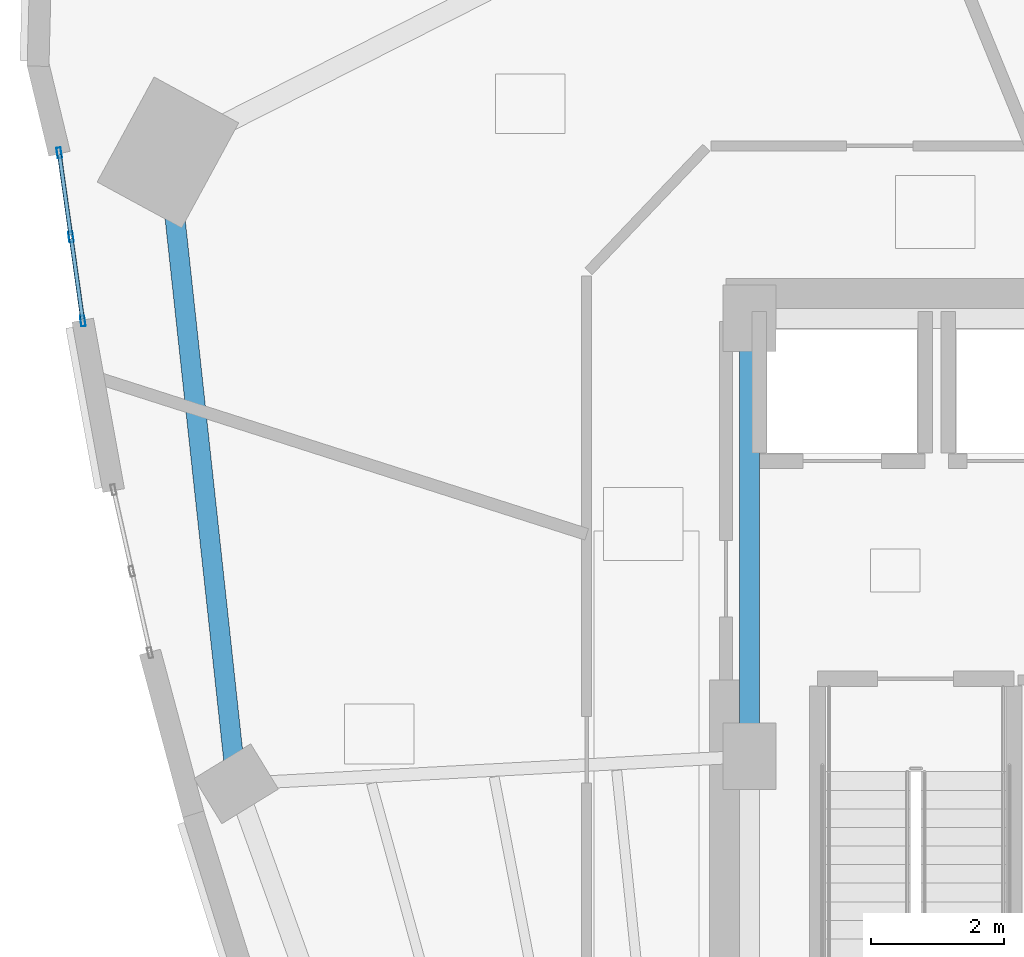
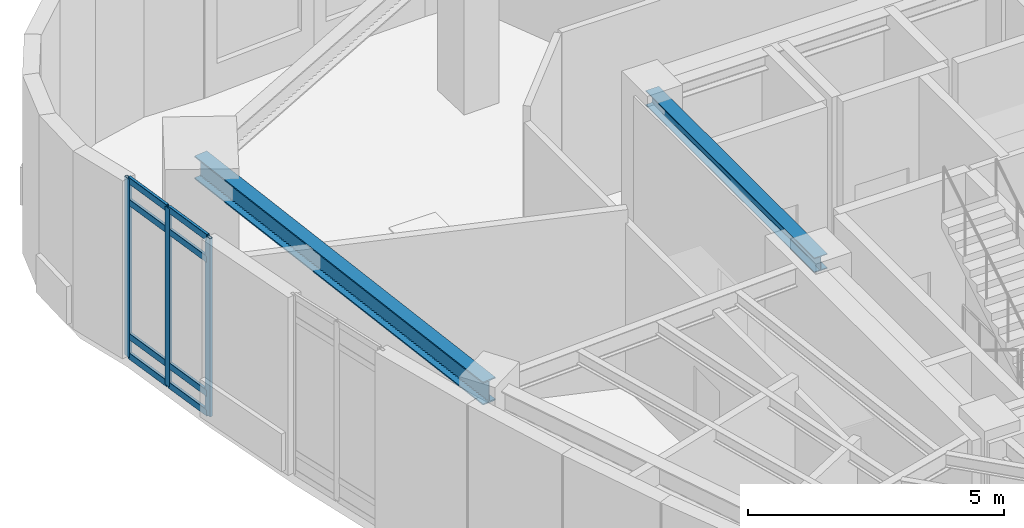
# One storey, part 4 of 14: 11 members, 2 beams, 1 element without a shape of its own.
"""IFC4 building model written with IfcOpenShell, lengths in metres."""

from ifc_helpers import new_model, si_unit, direction, frame, origin, origin_2d, place, context, subcontext, project, spatial, hollow_rectangle, i_section, extrude, material, layer, layer_set, material_profile, profile_set, type_object, element, aggregate, save


model = new_model("IFC4")

# Units and contexts
model_context = context("Model", 3, precision=1e-05, world=origin(), true_north=direction((0.0, 1.0)))
body_context = subcontext(model_context, "Body", "Model", "MODEL_VIEW")
ifc_project = project(units=[si_unit("LENGTHUNIT", "METRE"), si_unit("AREAUNIT", "SQUARE_METRE"), si_unit("VOLUMEUNIT", "CUBIC_METRE"), si_unit("PLANEANGLEUNIT", "RADIAN"), si_unit("MASSUNIT", "GRAM", prefix="KILO")], contexts=[model_context])

# Site, building, storey
site_placement = place(None, origin())
site = spatial("IfcSite", under=ifc_project, at=site_placement, CompositionType="ELEMENT")
building_placement = place(site_placement, origin())
building = spatial("IfcBuilding", under=site, at=building_placement, Name="Ndelora Gate Hotel", CompositionType="ELEMENT")
storey_placement = place(building_placement, frame((0.0, 0.0, 178.25)))
storey = spatial("IfcBuildingStorey", under=building, at=storey_placement, Name="L44", CompositionType="ELEMENT", Elevation=178.25)

# Beams
ifc_material_1 = material(Name="Steel S355", Category="steel")
ifc_material_profile_1 = material_profile(ifc_material_1, i_section(OverallWidth=0.300048828125, OverallDepth=0.35009765625, WebThickness=0.010009765625, FlangeThickness=0.017578125, FilletRadius=0.027099609375, at=origin_2d()), Name="HEA 360")
ifc_profile_set_1 = profile_set([ifc_material_profile_1], Name="Steel S355")
beam_type_1 = type_object("IfcBeamType", Name="BM-CORE-350", PredefinedType="BEAM", material=ifc_profile_set_1)
beam_1_placement = place(storey_placement, frame((-8.0, 0.0, 4.074951171875), z_axis=(0.0, 1.0, 0.0), x_axis=(-1.0, 0.0, 0.0)))
element("IfcBeam", 1, at=beam_1_placement, inside=storey, type_object=beam_type_1, Name="L44 Core Tie Girder CC8-CC7", PredefinedType="BEAM", context=body_context, shape_type="SweptSolid", body=[
    extrude(i_section(OverallWidth=0.300048828125, OverallDepth=0.35009765625, WebThickness=0.010009765625, FlangeThickness=0.017578125, FilletRadius=0.027099609375, at=origin_2d()), origin(), (0.0, 0.0, 1.0), 6.60009765625),
])
ifc_material_profile_2 = material_profile(ifc_material_1, i_section(OverallWidth=0.300048828125, OverallDepth=0.550048828125, WebThickness=0.014892578125, FlangeThickness=0.029052734375, FilletRadius=0.027099609375, at=origin_2d()), Name="HEB 550")
ifc_profile_set_2 = profile_set([ifc_material_profile_2], Name="Steel S355")
beam_type_2 = type_object("IfcBeamType", Name="BM-RING-550", PredefinedType="SPANDREL", material=ifc_profile_set_2)
beam_2_placement = place(storey_placement, frame((-16.759521484375, 9.099609375, 3.97509765625), z_axis=(0.107613416645, -0.994192814578, 0.0), x_axis=(0.994192814578, 0.107613416645, 0.0)))
element("IfcBeam", 2, at=beam_2_placement, inside=storey, type_object=beam_type_2, Name="L44 Perimeter Spandrel Girder 1", PredefinedType="SPANDREL", context=body_context, shape_type="SweptSolid", body=[
    extrude(i_section(OverallWidth=0.300048828125, OverallDepth=0.550048828125, WebThickness=0.014892578125, FlangeThickness=0.029052734375, FilletRadius=0.027099609375, at=origin_2d()), origin(), (0.0, 0.0, 1.0), 9.567138671875),
])

# Curtain wall, members
ifc_material_2 = material(Name="Bronze Anodised Unitised Aluminium and Low-E Glass", Category="aluminium")
ifc_layer = layer(ifc_material_2, 0.2099609375)
ifc_layer_set = layer_set([ifc_layer], Name="Bronze Anodised Unitised Aluminium and Low-E Glass")
curtain_wall_type = type_object("IfcCurtainWallType", Name="CW-SYS-5", PredefinedType="NOTDEFINED", material=ifc_layer_set)
curtain_wall_placement = place(storey_placement, origin())
curtain_wall = element("IfcCurtainWall", 3, at=curtain_wall_placement, inside=storey, type_object=curtain_wall_type, Name="L44 Upper Sky-Lobby & Altitude Fitness Curtain Wall 1", PredefinedType="NOTDEFINED")
ifc_material_3 = material(Name="Bronze Anodised Aluminium 6063-T6", Category="aluminium")
ifc_material_profile_3 = material_profile(ifc_material_3, hollow_rectangle(XDim=0.06494140625, YDim=0.159912109375, WallThickness=0.00390625, InnerFilletRadius=0.00390625, OuterFilletRadius=0.008056640625, at=origin_2d()), Name="ALU 160x65x4")
ifc_profile_set_3 = profile_set([ifc_material_profile_3], Name="Bronze Anodised Aluminium 6063-T6")
member_type_1 = type_object("IfcMemberType", Name="MB-CW-MUL150", PredefinedType="MULLION", material=ifc_profile_set_3)
member_1_placement = place(storey_placement, frame((-18.397216796875, 9.092041015625, -0.00390625), z_axis=(0.0, 0.0, 1.0), x_axis=(0.990256085727, 0.13925833792, 0.0)))
member_1 = element("IfcMember", 4, at=member_1_placement, type_object=member_type_1, Name="CW5 mullion 1", PredefinedType="MULLION", context=body_context, shape_type="SweptSolid", body=[
    extrude(hollow_rectangle(XDim=0.06494140625, YDim=0.159912109375, WallThickness=0.00390625, InnerFilletRadius=0.00390625, OuterFilletRadius=0.008056640625, at=origin_2d()), origin(), (0.0, 0.0, 1.0), 4.2578125),
])
member_2_placement = place(storey_placement, frame((-18.21923828125, 7.826171875, -0.00390625), z_axis=(0.0, 0.0, 1.0), x_axis=(0.990256085727, 0.13925833792, 0.0)))
member_2 = element("IfcMember", 5, at=member_2_placement, type_object=member_type_1, Name="CW5 mullion 2", PredefinedType="MULLION", context=body_context, shape_type="SweptSolid", body=[
    extrude(hollow_rectangle(XDim=0.06494140625, YDim=0.159912109375, WallThickness=0.00390625, InnerFilletRadius=0.00390625, OuterFilletRadius=0.008056640625, at=origin_2d()), origin(), (0.0, 0.0, 1.0), 4.2578125),
])
member_3_placement = place(storey_placement, frame((-18.041015625, 6.560302734375, -0.00390625), z_axis=(0.0, 0.0, 1.0), x_axis=(0.990256085727, 0.13925833792, 0.0)))
member_3 = element("IfcMember", 6, at=member_3_placement, type_object=member_type_1, Name="CW5 mullion 3", PredefinedType="MULLION", context=body_context, shape_type="SweptSolid", body=[
    extrude(hollow_rectangle(XDim=0.06494140625, YDim=0.159912109375, WallThickness=0.00390625, InnerFilletRadius=0.00390625, OuterFilletRadius=0.008056640625, at=origin_2d()), origin(), (0.0, 0.0, 1.0), 4.2578125),
])
ifc_material_profile_4 = material_profile(ifc_material_3, hollow_rectangle(XDim=0.06494140625, YDim=0.159912109375, WallThickness=0.00390625, InnerFilletRadius=0.00390625, OuterFilletRadius=0.008056640625, at=origin_2d()), Name="ALU 160x65x4")
ifc_profile_set_4 = profile_set([ifc_material_profile_4], Name="Bronze Anodised Aluminium 6063-T6")
member_type_2 = type_object("IfcMemberType", Name="MB-CW-TRN150", PredefinedType="USERDEFINED", material=ifc_profile_set_4)
member_4_placement = place(storey_placement, frame((-18.3935546875, 9.06591796875, 0.032470703125), z_axis=(0.139273148486, -0.990254002825, 0.0), x_axis=(0.990254002825, 0.139273148486, 0.0)))
member_4 = element("IfcMember", 7, at=member_4_placement, type_object=member_type_2, Name="CW5 transom 1.1", ObjectType="TRANSOM", PredefinedType="USERDEFINED", context=body_context, shape_type="SweptSolid", body=[
    extrude(hollow_rectangle(XDim=0.06494140625, YDim=0.159912109375, WallThickness=0.00390625, InnerFilletRadius=0.00390625, OuterFilletRadius=0.008056640625, at=origin_2d()), origin(), (0.0, 0.0, 1.0), 1.225341796875),
])
member_5_placement = place(storey_placement, frame((-18.3935546875, 9.06591796875, 0.5), z_axis=(0.139273148486, -0.990254002825, 0.0), x_axis=(0.990254002825, 0.139273148486, 0.0)))
member_5 = element("IfcMember", 8, at=member_5_placement, type_object=member_type_2, Name="CW5 transom 1.2", ObjectType="TRANSOM", PredefinedType="USERDEFINED", context=body_context, shape_type="SweptSolid", body=[
    extrude(hollow_rectangle(XDim=0.06494140625, YDim=0.159912109375, WallThickness=0.00390625, InnerFilletRadius=0.00390625, OuterFilletRadius=0.008056640625, at=origin_2d()), origin(), (0.0, 0.0, 1.0), 1.225341796875),
])
member_6_placement = place(storey_placement, frame((-18.3935546875, 9.06591796875, 3.699951171875), z_axis=(0.139273148486, -0.990254002825, 0.0), x_axis=(0.990254002825, 0.139273148486, 0.0)))
member_6 = element("IfcMember", 9, at=member_6_placement, type_object=member_type_2, Name="CW5 transom 1.3", ObjectType="TRANSOM", PredefinedType="USERDEFINED", context=body_context, shape_type="SweptSolid", body=[
    extrude(hollow_rectangle(XDim=0.06494140625, YDim=0.159912109375, WallThickness=0.00390625, InnerFilletRadius=0.00390625, OuterFilletRadius=0.008056640625, at=origin_2d()), origin(), (0.0, 0.0, 1.0), 1.225341796875),
])
member_7_placement = place(storey_placement, frame((-18.3935546875, 9.06591796875, 4.217529296875), z_axis=(0.139273148486, -0.990254002825, 0.0), x_axis=(0.990254002825, 0.139273148486, 0.0)))
member_7 = element("IfcMember", 10, at=member_7_placement, type_object=member_type_2, Name="CW5 transom 1.4", ObjectType="TRANSOM", PredefinedType="USERDEFINED", context=body_context, shape_type="SweptSolid", body=[
    extrude(hollow_rectangle(XDim=0.06494140625, YDim=0.159912109375, WallThickness=0.00390625, InnerFilletRadius=0.00390625, OuterFilletRadius=0.008056640625, at=origin_2d()), origin(), (0.0, 0.0, 1.0), 1.225341796875),
])
member_8_placement = place(storey_placement, frame((-18.215576171875, 7.800048828125, 0.032470703125), z_axis=(0.139245674645, -0.990257866463, 0.0), x_axis=(0.990257866463, 0.139245674645, 0.0)))
member_8 = element("IfcMember", 11, at=member_8_placement, type_object=member_type_2, Name="CW5 transom 2.1", ObjectType="TRANSOM", PredefinedType="USERDEFINED", context=body_context, shape_type="SweptSolid", body=[
    extrude(hollow_rectangle(XDim=0.06494140625, YDim=0.159912109375, WallThickness=0.00390625, InnerFilletRadius=0.00390625, OuterFilletRadius=0.008056640625, at=origin_2d()), origin(), (0.0, 0.0, 1.0), 1.2255859375),
])
member_9_placement = place(storey_placement, frame((-18.215576171875, 7.800048828125, 0.5), z_axis=(0.139245674645, -0.990257866463, 0.0), x_axis=(0.990257866463, 0.139245674645, 0.0)))
member_9 = element("IfcMember", 12, at=member_9_placement, type_object=member_type_2, Name="CW5 transom 2.2", ObjectType="TRANSOM", PredefinedType="USERDEFINED", context=body_context, shape_type="SweptSolid", body=[
    extrude(hollow_rectangle(XDim=0.06494140625, YDim=0.159912109375, WallThickness=0.00390625, InnerFilletRadius=0.00390625, OuterFilletRadius=0.008056640625, at=origin_2d()), origin(), (0.0, 0.0, 1.0), 1.2255859375),
])
member_10_placement = place(storey_placement, frame((-18.215576171875, 7.800048828125, 3.699951171875), z_axis=(0.139245674645, -0.990257866463, 0.0), x_axis=(0.990257866463, 0.139245674645, 0.0)))
member_10 = element("IfcMember", 13, at=member_10_placement, type_object=member_type_2, Name="CW5 transom 2.3", ObjectType="TRANSOM", PredefinedType="USERDEFINED", context=body_context, shape_type="SweptSolid", body=[
    extrude(hollow_rectangle(XDim=0.06494140625, YDim=0.159912109375, WallThickness=0.00390625, InnerFilletRadius=0.00390625, OuterFilletRadius=0.008056640625, at=origin_2d()), origin(), (0.0, 0.0, 1.0), 1.2255859375),
])
member_11_placement = place(storey_placement, frame((-18.215576171875, 7.800048828125, 4.217529296875), z_axis=(0.139245674645, -0.990257866463, 0.0), x_axis=(0.990257866463, 0.139245674645, 0.0)))
member_11 = element("IfcMember", 14, at=member_11_placement, type_object=member_type_2, Name="CW5 transom 2.4", ObjectType="TRANSOM", PredefinedType="USERDEFINED", context=body_context, shape_type="SweptSolid", body=[
    extrude(hollow_rectangle(XDim=0.06494140625, YDim=0.159912109375, WallThickness=0.00390625, InnerFilletRadius=0.00390625, OuterFilletRadius=0.008056640625, at=origin_2d()), origin(), (0.0, 0.0, 1.0), 1.2255859375),
])
aggregate(curtain_wall, [member_1, member_2, member_3, member_4, member_5, member_6, member_7, member_8, member_9, member_10, member_11])

save(model, "model.ifc")
